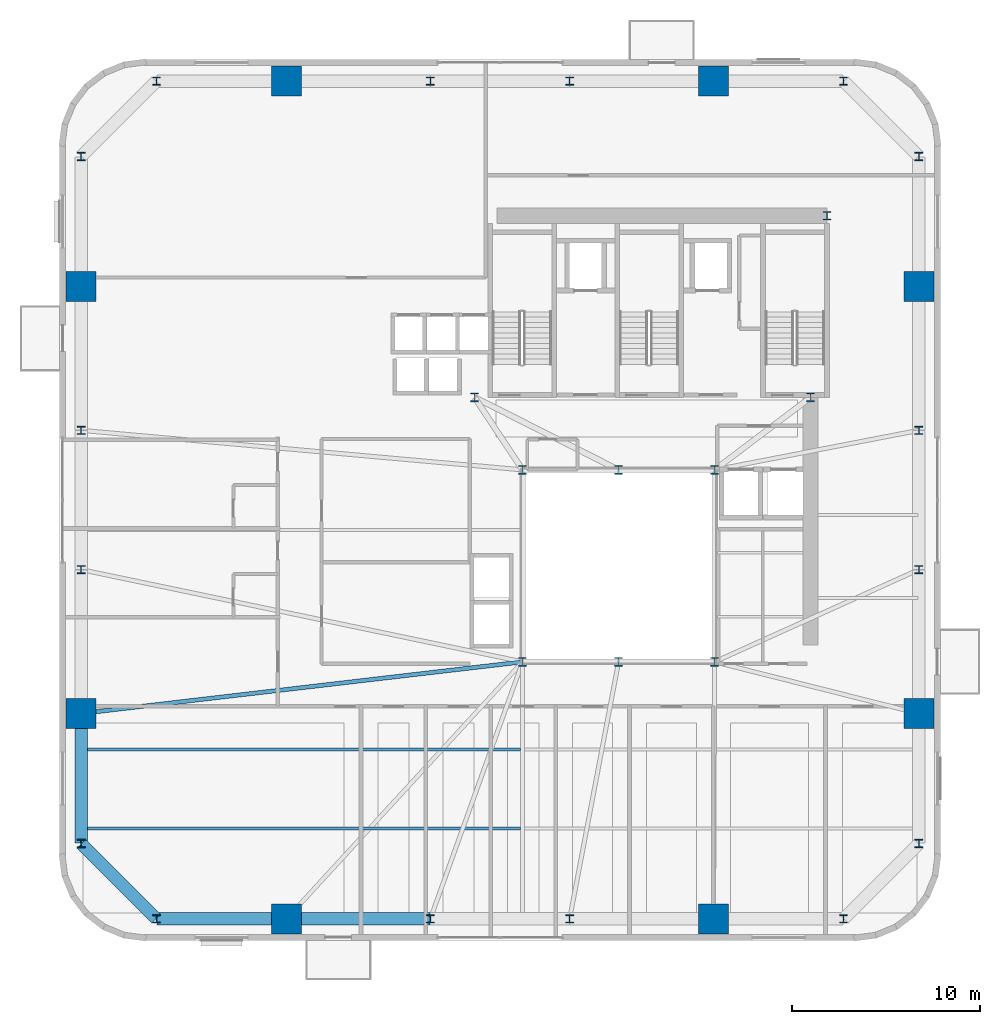
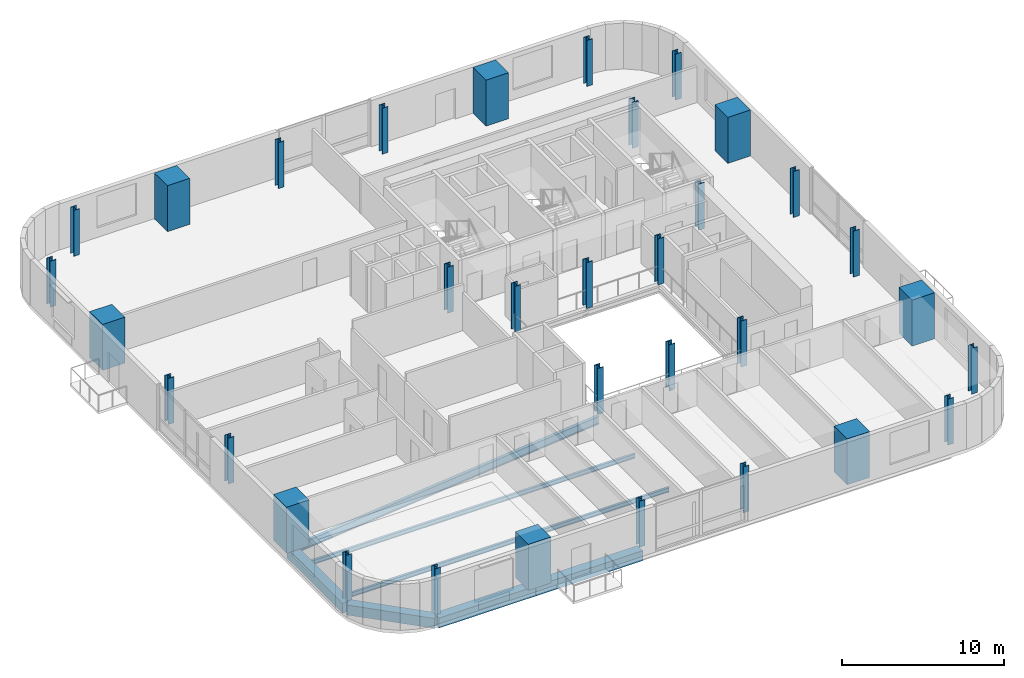
# One storey, part 1 of 14: 33 columns, 7 beams.
"""IFC4 building model written with IfcOpenShell, lengths in metres."""

from ifc_helpers import new_model, si_unit, direction, frame, origin, origin_2d, place, context, subcontext, project, spatial, rectangle, i_section, extrude, source, transform, mapped, material, material_profile, profile_set, type_object, element, save


model = new_model("IFC4")

# Units and contexts
model_context = context("Model", 3, precision=1e-05, world=origin(), true_north=direction((0.0, 1.0)))
body_context = subcontext(model_context, "Body", "Model", "MODEL_VIEW")
ifc_project = project(units=[si_unit("LENGTHUNIT", "METRE"), si_unit("AREAUNIT", "SQUARE_METRE"), si_unit("VOLUMEUNIT", "CUBIC_METRE"), si_unit("PLANEANGLEUNIT", "RADIAN"), si_unit("MASSUNIT", "GRAM", prefix="KILO")], contexts=[model_context])

# Site, building, storey
site_placement = place(None, origin())
site = spatial("IfcSite", under=ifc_project, at=site_placement, CompositionType="ELEMENT")
building_placement = place(site_placement, origin())
building = spatial("IfcBuilding", under=site, at=building_placement, Name="Vardaveli Station Tower", CompositionType="ELEMENT")
storey_placement = place(building_placement, frame((0.0, 0.0, 133.5)))
storey = spatial("IfcBuildingStorey", under=building, at=storey_placement, Name="L34", CompositionType="ELEMENT", Elevation=133.5)

# Columns
ifc_material_1 = material(Name="Structural steel S460M", Category="steel")
ifc_material_profile_1 = material_profile(ifc_material_1, i_section(OverallWidth=0.424072265625, OverallDepth=0.465087890625, WebThickness=0.034912109375, FlangeThickness=0.055908203125, FilletRadius=0.014892578125, at=origin_2d()), Name="HD 400x592")
ifc_profile_set_1 = profile_set([ifc_material_profile_1], Name="Structural steel S460M")
column_type_1 = type_object("IfcColumnType", Name="COL-HD592", PredefinedType="COLUMN", material=ifc_profile_set_1)
shared_shape_1 = source(origin(), body_context, "Body", "SweptSolid", [
    extrude(i_section(OverallWidth=0.424072265625, OverallDepth=0.465087890625, WebThickness=0.034912109375, FlangeThickness=0.055908203125, FilletRadius=0.014892578125, at=origin_2d()), origin(), (0.0, 0.0, 1.0), 3.4599609375),
])
for number, where, z_axis, x_axis, name in (
    (1, (31.199951171875, 16.60009765625, 0.0), (0.0, 0.0, 1.0), (1.0, 0.0, 0.0), "COL-L34-AC1"),
    (2, (36.300048828125, 16.60009765625, 0.0), (0.0, 0.0, 1.0), (1.0, 0.0, 0.0), "COL-L34-AC2"),
    (3, (41.39990234375, 16.60009765625, 0.0), (0.0, 0.0, 1.0), (1.0, 0.0, 0.0), "COL-L34-AC3"),
    (4, (41.39990234375, 26.800048828125, 0.0), (0.0, 0.0, 1.0), (1.0, 0.0, 0.0), "COL-L34-AC4"),
    (5, (36.300048828125, 26.800048828125, 0.0), (0.0, 0.0, 1.0), (1.0, 0.0, 0.0), "COL-L34-AC5"),
    (6, (31.199951171875, 26.800048828125, 0.0), (0.0, 0.0, 1.0), (1.0, 0.0, 0.0), "COL-L34-AC6"),
    (7, (28.64990234375, 30.64990234375, 0.0), (0.0, 0.0, 1.0), (1.0, 0.0, 0.0), "COL-L34-CC1"),
    (8, (46.5, 30.64990234375, 0.0), (0.0, 0.0, 1.0), (1.0, 0.0, 0.0), "COL-L34-CC2"),
    (9, (47.3701171875, 40.300048828125, 0.0), (0.0, 0.0, 1.0), (1.0, 0.0, 0.0), "COL-L34-CC3"),
):
    element("IfcColumn", number, at=place(storey_placement, frame(where, z_axis=z_axis, x_axis=x_axis)), inside=storey, type_object=column_type_1, Name=name, PredefinedType="COLUMN", context=body_context, shape_type="MappedRepresentation", body=[
        mapped(shared_shape_1, transform((0.0, 0.0, 0.0), scale=1.0)),
    ])
ifc_material_2 = material(Name="Concrete C60/75", Category="concrete")
ifc_material_profile_2 = material_profile(ifc_material_2, rectangle(XDim=1.60009765625, YDim=1.60009765625, at=origin_2d()), Name="MC 1600x1600")
ifc_profile_set_2 = profile_set([ifc_material_profile_2], Name="Concrete C60/75")
column_type_2 = type_object("IfcColumnType", Name="COL-MC-1600", PredefinedType="COLUMN", material=ifc_profile_set_2)
shared_shape_2 = source(origin(), body_context, "Body", "SweptSolid", [
    extrude(rectangle(XDim=1.60009765625, YDim=1.60009765625, at=origin_2d()), origin(), (0.0, 0.0, 1.0), 3.4599609375),
])
for number, where, z_axis, x_axis, name in (
    (10, (18.659912109375, 2.949951171875, 0.0), (0.0, 0.0, 1.0), (1.0, 0.0, 0.0), "COL-L34-MC1"),
    (11, (41.340087890625, 2.949951171875, 0.0), (0.0, 0.0, 1.0), (1.0, 0.0, 0.0), "COL-L34-MC2"),
    (12, (52.25, 13.860107421875, 0.0), (0.0, 0.0, 1.0), (1.0, 0.0, 0.0), "COL-L34-MC3"),
    (13, (52.25, 36.5400390625, 0.0), (0.0, 0.0, 1.0), (1.0, 0.0, 0.0), "COL-L34-MC4"),
    (14, (41.340087890625, 47.449951171875, 0.0), (0.0, 0.0, 1.0), (1.0, 0.0, 0.0), "COL-L34-MC5"),
    (15, (18.659912109375, 47.449951171875, 0.0), (0.0, 0.0, 1.0), (1.0, 0.0, 0.0), "COL-L34-MC6"),
    (16, (7.75, 36.5400390625, 0.0), (0.0, 0.0, 1.0), (1.0, 0.0, 0.0), "COL-L34-MC7"),
    (17, (7.75, 13.860107421875, 0.0), (0.0, 0.0, 1.0), (1.0, 0.0, 0.0), "COL-L34-MC8"),
):
    element("IfcColumn", number, at=place(storey_placement, frame(where, z_axis=z_axis, x_axis=x_axis)), inside=storey, type_object=column_type_2, Name=name, PredefinedType="COLUMN", context=body_context, shape_type="MappedRepresentation", body=[
        mapped(shared_shape_2, transform((0.0, 0.0, 0.0), scale=1.0)),
    ])
ifc_material_profile_3 = material_profile(ifc_material_1, i_section(OverallWidth=0.4140625, OverallDepth=0.431884765625, WebThickness=0.025634765625, FlangeThickness=0.0400390625, FilletRadius=0.014892578125, at=origin_2d()), Name="HD 400x421")
ifc_profile_set_3 = profile_set([ifc_material_profile_3], Name="Structural steel S460M")
column_type_3 = type_object("IfcColumnType", Name="COL-HD421", PredefinedType="COLUMN", material=ifc_profile_set_3)
shared_shape_3 = source(origin(), body_context, "Body", "SweptSolid", [
    extrude(i_section(OverallWidth=0.4140625, OverallDepth=0.431884765625, WebThickness=0.025634765625, FlangeThickness=0.0400390625, FilletRadius=0.014892578125, at=origin_2d()), origin(), (0.0, 0.0, 1.0), 3.4599609375),
])
for number, where, z_axis, x_axis, name in (
    (18, (11.75, 2.949951171875, 0.0), (0.0, 0.0, 1.0), (1.0, 0.0, 0.0), "COL-L34-PC01"),
    (19, (26.300048828125, 2.949951171875, 0.0), (0.0, 0.0, 1.0), (1.0, 0.0, 0.0), "COL-L34-PC02"),
    (20, (33.699951171875, 2.949951171875, 0.0), (0.0, 0.0, 1.0), (1.0, 0.0, 0.0), "COL-L34-PC03"),
    (21, (48.25, 2.949951171875, 0.0), (0.0, 0.0, 1.0), (1.0, 0.0, 0.0), "COL-L34-PC04"),
    (22, (52.25, 6.949951171875, 0.0), (0.0, 0.0, 1.0), (1.0, 0.0, 0.0), "COL-L34-PC05"),
    (23, (52.25, 21.5, 0.0), (0.0, 0.0, 1.0), (1.0, 0.0, 0.0), "COL-L34-PC06"),
    (24, (52.25, 28.89990234375, 0.0), (0.0, 0.0, 1.0), (1.0, 0.0, 0.0), "COL-L34-PC07"),
    (25, (52.25, 43.449951171875, 0.0), (0.0, 0.0, 1.0), (1.0, 0.0, 0.0), "COL-L34-PC08"),
    (26, (48.25, 47.449951171875, 0.0), (0.0, 0.0, 1.0), (1.0, 0.0, 0.0), "COL-L34-PC09"),
    (27, (33.699951171875, 47.449951171875, 0.0), (0.0, 0.0, 1.0), (1.0, 0.0, 0.0), "COL-L34-PC10"),
    (28, (26.300048828125, 47.449951171875, 0.0), (0.0, 0.0, 1.0), (1.0, 0.0, 0.0), "COL-L34-PC11"),
    (29, (11.75, 47.449951171875, 0.0), (0.0, 0.0, 1.0), (1.0, 0.0, 0.0), "COL-L34-PC12"),
    (30, (7.75, 43.449951171875, 0.0), (0.0, 0.0, 1.0), (1.0, 0.0, 0.0), "COL-L34-PC13"),
    (31, (7.75, 28.89990234375, 0.0), (0.0, 0.0, 1.0), (1.0, 0.0, 0.0), "COL-L34-PC14"),
    (32, (7.75, 21.5, 0.0), (0.0, 0.0, 1.0), (1.0, 0.0, 0.0), "COL-L34-PC15"),
    (33, (7.75, 6.949951171875, 0.0), (0.0, 0.0, 1.0), (1.0, 0.0, 0.0), "COL-L34-PC16"),
):
    element("IfcColumn", number, at=place(storey_placement, frame(where, z_axis=z_axis, x_axis=x_axis)), inside=storey, type_object=column_type_3, Name=name, PredefinedType="COLUMN", context=body_context, shape_type="MappedRepresentation", body=[
        mapped(shared_shape_3, transform((0.0, 0.0, 0.0), scale=1.0)),
    ])

# Beams
ifc_material_3 = material(Name="Precast concrete C45/55", Category="concrete")
ifc_material_profile_4 = material_profile(ifc_material_3, rectangle(XDim=0.64990234375, YDim=0.75, at=origin_2d()), Name="LPB 650x750")
ifc_profile_set_4 = profile_set([ifc_material_profile_4], Name="Precast concrete C45/55")
beam_type_1 = type_object("IfcBeamType", Name="BM-LPB-750", PredefinedType="BEAM", material=ifc_profile_set_4)
shared_shape_4 = source(origin(), body_context, "Body", "SweptSolid", [
    extrude(rectangle(XDim=0.64990234375, YDim=0.75, at=origin_2d()), origin(), (0.0, 0.0, 1.0), 7.60009765625),
])
beam_1_placement = place(storey_placement, frame((18.679931640625, 2.949951171875, -0.614990234375), z_axis=(1.0, 0.0, 0.0), x_axis=(0.0, 1.0, 0.0)))
element("IfcBeam", 34, at=beam_1_placement, inside=storey, type_object=beam_type_1, Name="RBM-L34-01", PredefinedType="BEAM", context=body_context, shape_type="MappedRepresentation", body=[
    mapped(shared_shape_4, transform((0.0, 0.0, 0.0), scale=1.0)),
])
shared_shape_5 = source(origin(), body_context, "Body", "SweptSolid", [
    extrude(rectangle(XDim=0.64990234375, YDim=0.75, at=origin_2d()), origin(), (0.0, 0.0, 1.0), 6.869873046875),
])
beam_2_placement = place(storey_placement, frame((11.77001953125, 2.949951171875, -0.614990234375), z_axis=(1.0, 0.0, 0.0), x_axis=(0.0, 1.0, 0.0)))
element("IfcBeam", 35, at=beam_2_placement, inside=storey, type_object=beam_type_1, Name="RBM-L34-24", PredefinedType="BEAM", context=body_context, shape_type="MappedRepresentation", body=[
    mapped(shared_shape_5, transform((0.0, 0.0, 0.0), scale=1.0)),
])
shared_shape_6 = source(origin(), body_context, "Body", "SweptSolid", [
    extrude(rectangle(XDim=0.64990234375, YDim=0.75, at=origin_2d()), origin(), (0.0, 0.0, 1.0), 5.61669921875),
])
beam_3_placement = place(storey_placement, frame((7.76416015625, 6.935791015625, -0.614990234375), z_axis=(0.707106781187, -0.707106781187, 0.0), x_axis=(0.707106781187, 0.707106781187, 0.0)))
element("IfcBeam", 36, at=beam_3_placement, inside=storey, type_object=beam_type_1, Name="RBM-L34-23", PredefinedType="BEAM", context=body_context, shape_type="MappedRepresentation", body=[
    mapped(shared_shape_6, transform((0.0, 0.0, 0.0), scale=1.0)),
])
shared_shape_7 = source(origin(), body_context, "Body", "SweptSolid", [
    extrude(rectangle(XDim=0.64990234375, YDim=0.75, at=origin_2d()), origin(), (0.0, 0.0, 1.0), 6.8701171875),
])
beam_4_placement = place(storey_placement, frame((7.75, 13.840087890625, -0.614990234375), z_axis=(0.0, -1.0, 0.0), x_axis=(1.0, 0.0, 0.0)))
element("IfcBeam", 37, at=beam_4_placement, inside=storey, type_object=beam_type_1, Name="RBM-L34-22", PredefinedType="BEAM", context=body_context, shape_type="MappedRepresentation", body=[
    mapped(shared_shape_7, transform((0.0, 0.0, 0.0), scale=1.0)),
])
ifc_material_4 = material(Name="Structural steel S355J2", Category="steel")
ifc_material_profile_5 = material_profile(ifc_material_4, i_section(OverallWidth=0.159912109375, OverallDepth=0.330078125, WebThickness=0.007568359375, FlangeThickness=0.011474609375, FilletRadius=0.01806640625, at=origin_2d()), Name="IPE 330")
ifc_profile_set_5 = profile_set([ifc_material_profile_5], Name="Structural steel S355J2")
beam_type_2 = type_object("IfcBeamType", Name="BM-IPE330", PredefinedType="JOIST", material=ifc_profile_set_5)
shared_shape_8 = source(origin(), body_context, "Body", "SweptSolid", [
    extrude(i_section(OverallWidth=0.159912109375, OverallDepth=0.330078125, WebThickness=0.007568359375, FlangeThickness=0.011474609375, FilletRadius=0.01806640625, at=origin_2d()), origin(), (0.0, 0.0, 1.0), 23.2978515625),
])
for number, where, z_axis, x_axis, name in (
    (38, (7.7900390625, 7.75, -0.405029296875), (1.0, 0.0, 0.0), (0.0, 1.0, 0.0), "SJ-L34-S01"),
    (39, (7.7900390625, 11.949951171875, -0.405029296875), (1.0, 0.0, 0.0), (0.0, 1.0, 0.0), "SJ-L34-S03"),
):
    element("IfcBeam", number, at=place(storey_placement, frame(where, z_axis=z_axis, x_axis=x_axis)), inside=storey, type_object=beam_type_2, Name=name, PredefinedType="JOIST", context=body_context, shape_type="MappedRepresentation", body=[
        mapped(shared_shape_8, transform((0.0, 0.0, 0.0), scale=1.0)),
    ])
ifc_material_profile_6 = material_profile(ifc_material_4, i_section(OverallWidth=0.219970703125, OverallDepth=0.60009765625, WebThickness=0.011962890625, FlangeThickness=0.01904296875, FilletRadius=0.02392578125, at=origin_2d()), Name="IPE 600")
ifc_profile_set_6 = profile_set([ifc_material_profile_6], Name="Structural steel S355J2")
beam_type_3 = type_object("IfcBeamType", Name="BM-IPE600", PredefinedType="BEAM", material=ifc_profile_set_6)
shared_shape_9 = source(origin(), body_context, "Body", "SweptSolid", [
    extrude(i_section(OverallWidth=0.219970703125, OverallDepth=0.60009765625, WebThickness=0.011962890625, FlangeThickness=0.01904296875, FilletRadius=0.02392578125, at=origin_2d()), origin(), (0.0, 0.0, 1.0), 23.569580078125),
])
beam_5_placement = place(storey_placement, frame((7.769775390625, 13.8623046875, -0.5400390625), z_axis=(0.993242915589, 0.11605391261, 0.0), x_axis=(-0.11605391261, 0.993242915589, 0.0)))
element("IfcBeam", 40, at=beam_5_placement, inside=storey, type_object=beam_type_3, Name="GBM-L34-10", PredefinedType="BEAM", context=body_context, shape_type="MappedRepresentation", body=[
    mapped(shared_shape_9, transform((0.0, 0.0, 0.0), scale=1.0)),
])

save(model, "model.ifc")
